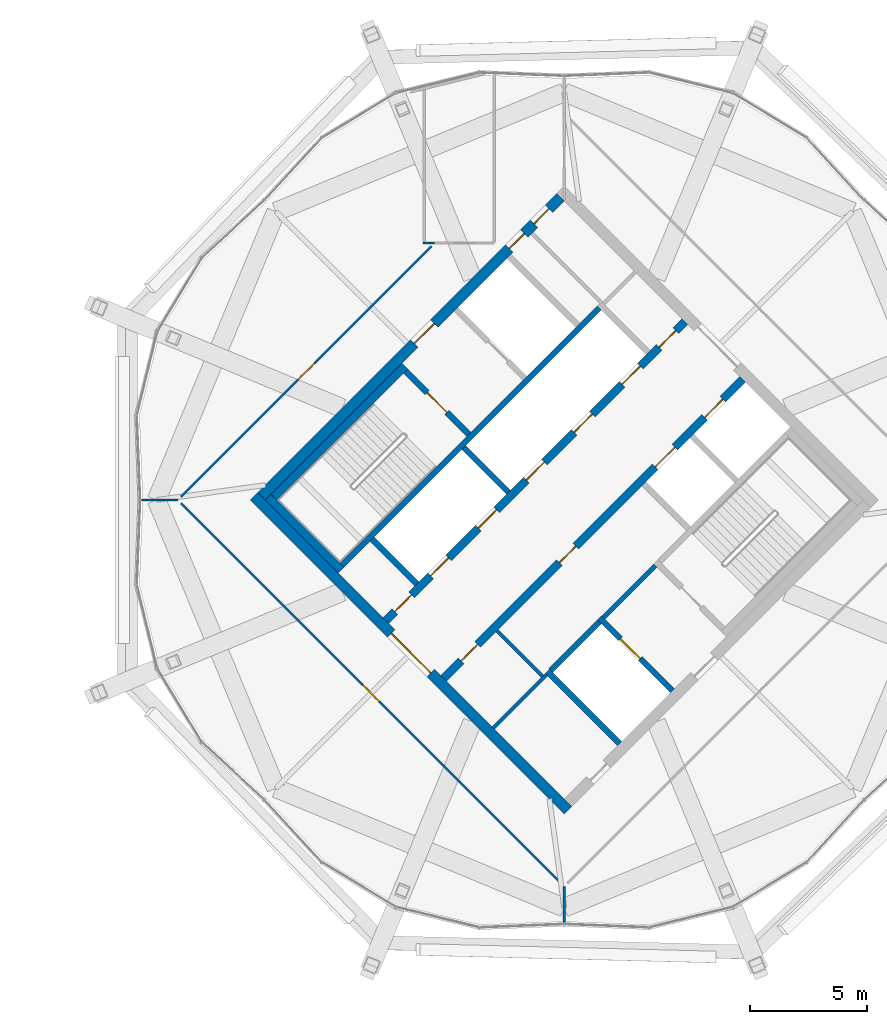
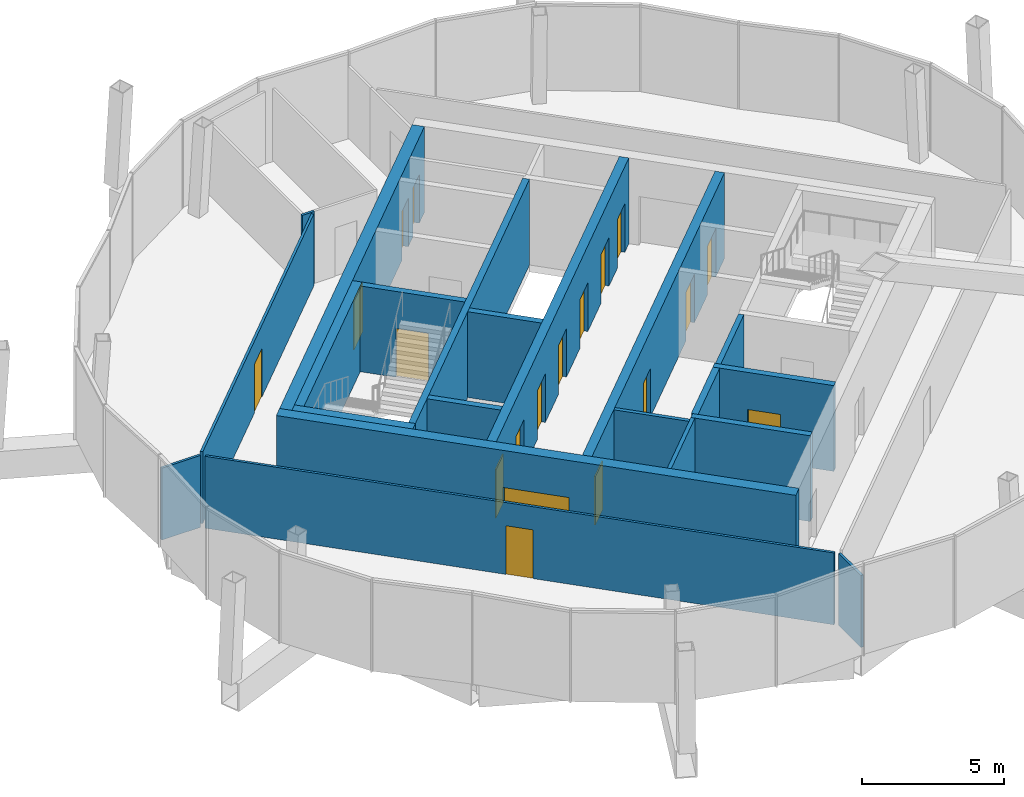
# One storey, part 30 of 34: 21 walls, 19 doors, 19 openings.
"""IFC4 building model written with IfcOpenShell, lengths in metres."""

from ifc_helpers import new_model, si_unit, direction, frame, frame_2d, origin, place, context, subcontext, project, spatial, rectangle, extrude, material, layer, layer_set, type_object, element, fill, save


model = new_model("IFC4")

# Units and contexts
model_context = context("Model", 3, precision=1e-05, world=origin(), true_north=direction((0.0, 1.0)))
body_context = subcontext(model_context, "Body", "Model", "MODEL_VIEW")
ifc_project = project(units=[si_unit("LENGTHUNIT", "METRE"), si_unit("AREAUNIT", "SQUARE_METRE"), si_unit("VOLUMEUNIT", "CUBIC_METRE"), si_unit("PLANEANGLEUNIT", "RADIAN"), si_unit("MASSUNIT", "GRAM", prefix="KILO")], contexts=[model_context])

# Site, building, storey
site_placement = place(None, origin())
site = spatial("IfcSite", under=ifc_project, at=site_placement, CompositionType="ELEMENT")
building_placement = place(site_placement, origin())
building = spatial("IfcBuilding", under=site, at=building_placement, Name="Ogive Gate Towers", CompositionType="ELEMENT")
storey_placement = place(building_placement, frame((0.0, 0.0, 294.0)))
storey = spatial("IfcBuildingStorey", under=building, at=storey_placement, Name="L69", CompositionType="ELEMENT", Elevation=294.0)

# Wall
ifc_material_1 = material(Name="Masonry blockwork", Category="masonry")
ifc_layer_1 = layer(ifc_material_1, 0.199951171875)
ifc_layer_set_1 = layer_set([ifc_layer_1], Name="Blockwork wall 200 mm")
wall_type_1 = type_object("IfcWallType", Name="Blockwork wall 200 mm", PredefinedType="PARTITIONING", material=ifc_layer_set_1)
wall_1_placement = place(storey_placement, frame((37.679443359375, -5.0380859375, 0.0), z_axis=(0.0, 0.0, 1.0), x_axis=(0.707106781187, 0.707106781187, 0.0)))
element("IfcWall", 1, at=wall_1_placement, inside=storey, type_object=wall_type_1, Name="T2 L69 Blockwork wall 200 mm", PredefinedType="PARTITIONING", context=body_context, shape_type="SweptSolid", body=[
    extrude(rectangle(XDim=3.14990234375, YDim=0.199951171875, at=frame_2d((1.574951171875, 0.0))), origin(), (0.0, 0.0, 1.0), 3.699951171875),
])

# Wall, openings, doors
ifc_material_2 = material(Name="Concrete C60/75", Category="concrete")
ifc_layer_2 = layer(ifc_material_2, 0.449951171875)
ifc_layer_set_2 = layer_set([ifc_layer_2], Name="Core wall 450 mm")
wall_type_2 = type_object("IfcWallType", Name="Core wall 450 mm", PredefinedType="SHEAR", material=ifc_layer_set_2)
wall_2_placement = place(storey_placement, frame((23.042236328125, 0.1591796875, 0.0), z_axis=(0.0, 0.0, 1.0), x_axis=(0.707106781187, 0.707106781187, 0.0)))
wall_2 = element("IfcWall", 2, at=wall_2_placement, inside=storey, type_object=wall_type_2, Name="T2 L69 Core wall 450 mm", PredefinedType="SHEAR", context=body_context, shape_type="SweptSolid", body=[
    extrude(rectangle(XDim=18.099853515625, YDim=0.449951171875, at=frame_2d((9.0498046875, 0.0))), origin(), (0.0, 0.0, 1.0), 3.699951171875),
])
opening_1_placement = place(wall_2_placement, frame((9.25, 0.0, 0.0)))
opening_1 = element("IfcOpeningElement", 3, at=opening_1_placement, cuts=wall_2, Name="Opening KD-T2-L69-18", PredefinedType="OPENING", context=body_context, shape_type="SweptSolid", body=[
    extrude(rectangle(XDim=1.199951171875, YDim=2.10009765625, at=frame_2d((0.60009765625, 1.050048828125))), frame((0.0, 0.23486328125, 0.0), z_axis=(0.0, -1.0, 0.0), x_axis=(1.0, 0.0, 0.0)), (0.0, 0.0, 1.0), 0.469970703125),
])
opening_2_placement = place(wall_2_placement, frame((15.0, 0.0, 0.0)))
opening_2 = element("IfcOpeningElement", 4, at=opening_2_placement, cuts=wall_2, Name="Opening KD-T2-L69-20", PredefinedType="OPENING", context=body_context, shape_type="SweptSolid", body=[
    extrude(rectangle(XDim=0.89990234375, YDim=2.10009765625, at=frame_2d((0.449951171875, 1.050048828125))), frame((0.0, 0.23486328125, 0.0), z_axis=(0.0, -1.0, 0.0), x_axis=(1.0, 0.0, 0.0)), (0.0, 0.0, 1.0), 0.469970703125),
])
opening_3_placement = place(wall_2_placement, frame((16.5, 0.0, 0.0)))
opening_3 = element("IfcOpeningElement", 5, at=opening_3_placement, cuts=wall_2, Name="Opening KD-T2-L69-21", PredefinedType="OPENING", context=body_context, shape_type="SweptSolid", body=[
    extrude(rectangle(XDim=0.89990234375, YDim=2.10009765625, at=frame_2d((0.449951171875, 1.050048828125))), frame((0.0, 0.23486328125, 0.0), z_axis=(0.0, -1.0, 0.0), x_axis=(1.0, 0.0, 0.0)), (0.0, 0.0, 1.0), 0.469970703125),
])
ifc_material_3 = material(Name="Timber door", Category="wood")
door_type_1 = type_object("IfcDoorType", Name="Core WC door 900 x 2100", OperationType="NOTDEFINED", PredefinedType="DOOR", material=ifc_material_3)
door_1_placement = place(opening_2_placement, origin())
door_1 = element("IfcDoor", 6, at=door_1_placement, inside=storey, type_object=door_type_1, Name="T2 L69 Core door", OperationType="SINGLE_SWING_LEFT", OverallHeight=2.10009765625, OverallWidth=0.89990234375, PredefinedType="DOOR", context=body_context, shape_type="SweptSolid", body=[
    extrude(rectangle(XDim=0.89990234375, YDim=2.10009765625, at=frame_2d((0.449951171875, 1.050048828125))), frame((0.0, 0.02490234375, 0.0), z_axis=(0.0, -1.0, 0.0), x_axis=(1.0, 0.0, 0.0)), (0.0, 0.0, 1.0), 0.050048828125),
])
fill(opening_2, door_1)
door_2_placement = place(opening_3_placement, origin())
door_2 = element("IfcDoor", 7, at=door_2_placement, inside=storey, type_object=door_type_1, Name="T2 L69 Core door", OperationType="SINGLE_SWING_RIGHT", OverallHeight=2.10009765625, OverallWidth=0.89990234375, PredefinedType="DOOR", context=body_context, shape_type="SweptSolid", body=[
    extrude(rectangle(XDim=0.89990234375, YDim=2.10009765625, at=frame_2d((0.449951171875, 1.050048828125))), frame((0.0, 0.02490234375, 0.0), z_axis=(0.0, -1.0, 0.0), x_axis=(1.0, 0.0, 0.0)), (0.0, 0.0, 1.0), 0.050048828125),
])
fill(opening_3, door_2)
ifc_material_4 = material(Name="Steel fire door", Category="steel")
door_type_2 = type_object("IfcDoorType", Name="Core door FD60S 1200 x 2100", OperationType="NOTDEFINED", PredefinedType="DOOR", material=ifc_material_4)
door_3_placement = place(opening_1_placement, origin())
door_3 = element("IfcDoor", 8, at=door_3_placement, inside=storey, type_object=door_type_2, Name="T2 L69 Fire-fighting lobby door", OperationType="SINGLE_SWING_LEFT", OverallHeight=2.10009765625, OverallWidth=1.199951171875, PredefinedType="DOOR", context=body_context, shape_type="SweptSolid", body=[
    extrude(rectangle(XDim=1.199951171875, YDim=2.10009765625, at=frame_2d((0.60009765625, 1.050048828125))), frame((0.0, 0.02490234375, 0.0), z_axis=(0.0, -1.0, 0.0), x_axis=(1.0, 0.0, 0.0)), (0.0, 0.0, 1.0), 0.050048828125),
])
fill(opening_1, door_3)

# Wall, opening, door
wall_3_placement = place(storey_placement, frame((36.1591796875, -13.27587890625, 0.0), z_axis=(0.0, 0.0, 1.0), x_axis=(-0.707106781187, 0.707106781187, 0.0)))
wall_3 = element("IfcWall", 9, at=wall_3_placement, inside=storey, type_object=wall_type_2, Name="T2 L69 Core wall 450 mm", PredefinedType="SHEAR", context=body_context, shape_type="SweptSolid", body=[
    extrude(rectangle(XDim=19.0, YDim=0.449951171875, at=frame_2d((9.5, 0.0))), origin(), (0.0, 0.0, 1.0), 3.699951171875),
])
opening_4_placement = place(wall_3_placement, frame((8.300048828125, 0.0, 0.0)))
opening_4 = element("IfcOpeningElement", 10, at=opening_4_placement, cuts=wall_3, Name="Opening KD-T2-L69-01", PredefinedType="OPENING", context=body_context, shape_type="SweptSolid", body=[
    extrude(rectangle(XDim=2.39990234375, YDim=2.10009765625, at=frame_2d((1.199951171875, 1.050048828125))), frame((0.0, 0.23486328125, 0.0), z_axis=(0.0, -1.0, 0.0), x_axis=(1.0, 0.0, 0.0)), (0.0, 0.0, 1.0), 0.469970703125),
])
door_type_3 = type_object("IfcDoorType", Name="Core double door FD60S 2400 x 2100", OperationType="DOUBLE_DOOR_SINGLE_SWING", PredefinedType="DOOR", material=ifc_material_4)
door_4_placement = place(opening_4_placement, origin())
door_4 = element("IfcDoor", 11, at=door_4_placement, inside=storey, type_object=door_type_3, Name="T2 L69 Core door double", OperationType="DOUBLE_DOOR_SINGLE_SWING", OverallHeight=2.10009765625, OverallWidth=2.39990234375, PredefinedType="DOOR", context=body_context, shape_type="SweptSolid", body=[
    extrude(rectangle(XDim=2.39990234375, YDim=2.10009765625, at=frame_2d((1.199951171875, 1.050048828125))), frame((0.0, 0.02490234375, 0.0), z_axis=(0.0, -1.0, 0.0), x_axis=(1.0, 0.0, 0.0)), (0.0, 0.0, 1.0), 0.050048828125),
])
fill(opening_4, door_4)

# Walls
ifc_material_5 = material(Name="Gypsum board partition")
ifc_layer_3 = layer(ifc_material_5, 0.10009765625)
ifc_layer_set_3 = layer_set([ifc_layer_3], Name="Partition wall 100")
wall_type_3 = type_object("IfcWallType", Name="Partition wall 100", PredefinedType="PARTITIONING", material=ifc_layer_set_3)
wall_4_placement = place(storey_placement, frame((29.949951171875, 11.0, 0.0), z_axis=(0.0, 0.0, 1.0), x_axis=(1.0, 0.0, 0.0)))
element("IfcWall", 12, at=wall_4_placement, inside=storey, type_object=wall_type_3, Name="L69 partition 002", PredefinedType="PARTITIONING", context=body_context, shape_type="SweptSolid", body=[
    extrude(rectangle(XDim=0.503662109375, YDim=0.10009765625, at=frame_2d((0.251953125, 0.0))), origin(), (0.0, 0.0, 1.0), 3.10009765625),
])
wall_5_placement = place(storey_placement, frame((17.875, 0.0, 0.0), z_axis=(0.0, 0.0, 1.0), x_axis=(1.0, 0.0, 0.0)))
element("IfcWall", 13, at=wall_5_placement, inside=storey, type_object=wall_type_3, Name="L69 partition 010", PredefinedType="PARTITIONING", context=body_context, shape_type="SweptSolid", body=[
    extrude(rectangle(XDim=1.57861328125, YDim=0.10009765625, at=frame_2d((0.789306640625, 0.0))), origin(), (0.0, 0.0, 1.0), 3.10009765625),
])

# Wall, opening, door
wall_6_placement = place(storey_placement, frame((30.312255859375, 10.858642578125, 0.0), z_axis=(0.0, 0.0, 1.0), x_axis=(-0.707098727074, -0.707114835207, 0.0)))
wall_6 = element("IfcWall", 14, at=wall_6_placement, inside=storey, type_object=wall_type_3, Name="L69 partition 011", PredefinedType="PARTITIONING", context=body_context, shape_type="SweptSolid", body=[
    extrude(rectangle(XDim=15.15625, YDim=0.10009765625, at=frame_2d((7.578125, 0.0))), origin(), (0.0, 0.0, 1.0), 3.10009765625),
])
opening_5_placement = place(wall_6_placement, frame((7.078125, 0.0, 0.0)))
opening_5 = element("IfcOpeningElement", 15, at=opening_5_placement, cuts=wall_6, Name="Opening PO321", PredefinedType="OPENING", context=body_context, shape_type="SweptSolid", body=[
    extrude(rectangle(XDim=1.0, YDim=2.10009765625, at=frame_2d((0.5, 1.050048828125))), frame((0.0, 0.06005859375, 0.0), z_axis=(0.0, -1.0, 0.0), x_axis=(1.0, 0.0, 0.0)), (0.0, 0.0, 1.0), 0.1201171875),
])
door_type_4 = type_object("IfcDoorType", Name="Door 1000 x 2100", OperationType="NOTDEFINED", PredefinedType="DOOR", material=ifc_material_3)
door_5_placement = place(opening_5_placement, origin())
door_5 = element("IfcDoor", 16, at=door_5_placement, inside=storey, type_object=door_type_4, Name="Door PO321", OperationType="SINGLE_SWING_LEFT", OverallHeight=2.10009765625, OverallWidth=1.0, PredefinedType="DOOR", context=body_context, shape_type="SweptSolid", body=[
    extrude(rectangle(XDim=1.0, YDim=2.10009765625, at=frame_2d((0.5, 1.050048828125))), frame((0.0, 0.02490234375, 0.0), z_axis=(0.0, -1.0, 0.0), x_axis=(1.0, 0.0, 0.0)), (0.0, 0.0, 1.0), 0.050048828125),
])
fill(opening_5, door_5)

# Wall
wall_7_placement = place(storey_placement, frame((36.0, -18.125, 0.0), z_axis=(0.0, 0.0, 1.0), x_axis=(0.0, 1.0, 0.0)))
element("IfcWall", 17, at=wall_7_placement, inside=storey, type_object=wall_type_3, Name="L69 partition 012", PredefinedType="PARTITIONING", context=body_context, shape_type="SweptSolid", body=[
    extrude(rectangle(XDim=1.57861328125, YDim=0.10009765625, at=frame_2d((0.789306640625, 0.0))), origin(), (0.0, 0.0, 1.0), 3.10009765625),
])

# Wall, opening, door
wall_8_placement = place(storey_placement, frame((19.59521484375, -0.141357421875, 0.0), z_axis=(0.0, 0.0, 1.0), x_axis=(0.707106781187, -0.707106781187, 0.0)))
wall_8 = element("IfcWall", 18, at=wall_8_placement, inside=storey, type_object=wall_type_3, Name="L69 partition 013", PredefinedType="PARTITIONING", context=body_context, shape_type="SweptSolid", body=[
    extrude(rectangle(XDim=23.0, YDim=0.10009765625, at=frame_2d((11.5, 0.0))), origin(), (0.0, 0.0, 1.0), 3.10009765625),
])
opening_6_placement = place(wall_8_placement, frame((11.0, 0.0, 0.0)))
opening_6 = element("IfcOpeningElement", 19, at=opening_6_placement, cuts=wall_8, Name="Opening PO322", PredefinedType="OPENING", context=body_context, shape_type="SweptSolid", body=[
    extrude(rectangle(XDim=1.0, YDim=2.10009765625, at=frame_2d((0.5, 1.050048828125))), frame((0.0, 0.06005859375, 0.0), z_axis=(0.0, -1.0, 0.0), x_axis=(1.0, 0.0, 0.0)), (0.0, 0.0, 1.0), 0.1201171875),
])
door_6_placement = place(opening_6_placement, origin())
door_6 = element("IfcDoor", 20, at=door_6_placement, inside=storey, type_object=door_type_4, Name="Door PO322", OperationType="SINGLE_SWING_RIGHT", OverallHeight=2.10009765625, OverallWidth=1.0, PredefinedType="DOOR", context=body_context, shape_type="SweptSolid", body=[
    extrude(rectangle(XDim=1.0, YDim=2.10009765625, at=frame_2d((0.5, 1.050048828125))), frame((0.0, 0.02490234375, 0.0), z_axis=(0.0, -1.0, 0.0), x_axis=(1.0, 0.0, 0.0)), (0.0, 0.0, 1.0), 0.050048828125),
])
fill(opening_6, door_6)

# Walls
ifc_layer_4 = layer(ifc_material_5, 0.14990234375)
ifc_layer_set_4 = layer_set([ifc_layer_4], Name="Room partition 150 mm")
wall_type_4 = type_object("IfcWallType", Name="Room partition 150 mm", PredefinedType="PARTITIONING", material=ifc_layer_set_4)
wall_9_placement = place(storey_placement, frame((32.95947265625, -9.758056640625, 0.0), z_axis=(0.0, 0.0, 1.0), x_axis=(0.707144631829, 0.707068928518, 0.0)))
element("IfcWall", 21, at=wall_9_placement, inside=storey, type_object=wall_type_4, Name="T2 L69 Room partition 150 mm", PredefinedType="PARTITIONING", context=body_context, shape_type="SweptSolid", body=[
    extrude(rectangle(XDim=3.224853515625, YDim=0.14990234375, at=frame_2d((1.6123046875, 0.0))), origin(), (0.0, 0.0, 1.0), 3.699951171875),
])
wall_10_placement = place(storey_placement, frame((35.06298828125, -7.54833984375, 0.0), z_axis=(0.0, 0.0, 1.0), x_axis=(-0.707106781187, 0.707106781187, 0.0)))
element("IfcWall", 22, at=wall_10_placement, inside=storey, type_object=wall_type_4, Name="T2 L69 Room partition 150 mm", PredefinedType="PARTITIONING", context=body_context, shape_type="SweptSolid", body=[
    extrude(rectangle(XDim=2.75, YDim=0.14990234375, at=frame_2d((1.375, 0.0))), origin(), (0.0, 0.0, 1.0), 3.699951171875),
])
ifc_layer_5 = layer(ifc_material_2, 0.25)
ifc_layer_set_5 = layer_set([ifc_layer_5], Name="Shaft wall 250 mm")
wall_type_5 = type_object("IfcWallType", Name="Shaft wall 250 mm", PredefinedType="SHEAR", material=ifc_layer_set_5)
wall_11_placement = place(storey_placement, frame((35.41650390625, -7.30078125, 0.0), z_axis=(0.0, 0.0, 1.0), x_axis=(0.707148157867, 0.707065402085, 0.0)))
element("IfcWall", 23, at=wall_11_placement, inside=storey, type_object=wall_type_5, Name="T2 L69 Shaft wall 250 mm", PredefinedType="SHEAR", context=body_context, shape_type="SweptSolid", body=[
    extrude(rectangle(XDim=2.9501953125, YDim=0.25, at=frame_2d((1.47509765625, 0.0))), origin(), (0.0, 0.0, 1.0), 3.699951171875),
])
wall_12_placement = place(storey_placement, frame((26.489501953125, -2.793212890625, 0.0), z_axis=(0.0, 0.0, 1.0), x_axis=(0.707098943647, 0.70711461864, 0.0)))
element("IfcWall", 24, at=wall_12_placement, inside=storey, type_object=wall_type_5, Name="T2 L69 Shaft wall 250 mm", PredefinedType="SHEAR", context=body_context, shape_type="SweptSolid", body=[
    extrude(rectangle(XDim=15.5751953125, YDim=0.25, at=frame_2d((7.78759765625, 0.0))), origin(), (0.0, 0.0, 1.0), 3.699951171875),
])
wall_13_placement = place(storey_placement, frame((29.689208984375, -3.588623046875, 0.0), z_axis=(0.0, 0.0, 1.0), x_axis=(-0.707151988282, 0.707061571201, 0.0)))
element("IfcWall", 25, at=wall_13_placement, inside=storey, type_object=wall_type_5, Name="T2 L69 Shaft wall 250 mm", PredefinedType="SHEAR", context=body_context, shape_type="SweptSolid", body=[
    extrude(rectangle(XDim=2.7001953125, YDim=0.25, at=frame_2d((1.35009765625, 0.0))), origin(), (0.0, 0.0, 1.0), 3.699951171875),
])
wall_14_placement = place(storey_placement, frame((38.368896484375, -10.4296875, 0.0), z_axis=(0.0, 0.0, 1.0), x_axis=(-0.707134682099, 0.707078879173, 0.0)))
element("IfcWall", 26, at=wall_14_placement, inside=storey, type_object=wall_type_5, Name="T2 L69 Shaft wall 250 mm", PredefinedType="SHEAR", context=body_context, shape_type="SweptSolid", body=[
    extrude(rectangle(XDim=4.375, YDim=0.25, at=frame_2d((2.1875, 0.0))), origin(), (0.0, 0.0, 1.0), 3.699951171875),
])

# Wall, opening, door
wall_15_placement = place(storey_placement, frame((40.631591796875, -8.1669921875, 0.0), z_axis=(0.0, 0.0, 1.0), x_axis=(-0.707106781187, 0.707106781187, 0.0)))
wall_15 = element("IfcWall", 27, at=wall_15_placement, inside=storey, type_object=wall_type_5, Name="T2 L69 Shaft wall 250 mm", PredefinedType="SHEAR", context=body_context, shape_type="SweptSolid", body=[
    extrude(rectangle(XDim=4.425048828125, YDim=0.25, at=frame_2d((2.21240234375, 0.0))), origin(), (0.0, 0.0, 1.0), 3.699951171875),
])
opening_7_placement = place(wall_15_placement, frame((1.949951171875, 0.0, 0.0)))
opening_7 = element("IfcOpeningElement", 28, at=opening_7_placement, cuts=wall_15, Name="Opening LD-T2-L69-13", PredefinedType="OPENING", context=body_context, shape_type="SweptSolid", body=[
    extrude(rectangle(XDim=1.199951171875, YDim=2.10009765625, at=frame_2d((0.60009765625, 1.050048828125))), frame((0.0, 0.135009765625, 0.0), z_axis=(0.0, -1.0, 0.0), x_axis=(1.0, 0.0, 0.0)), (0.0, 0.0, 1.0), 0.27001953125),
])
ifc_material_6 = material(Name="Stainless steel landing door", Category="steel")
door_type_5 = type_object("IfcDoorType", Name="Landing door 1200 x 2100", OperationType="SLIDING_TO_LEFT", PredefinedType="DOOR", material=ifc_material_6)
door_7_placement = place(opening_7_placement, origin())
door_7 = element("IfcDoor", 29, at=door_7_placement, inside=storey, type_object=door_type_5, Name="T2 L69 Lift landing door FF2", OperationType="SLIDING_TO_LEFT", OverallHeight=2.10009765625, OverallWidth=1.199951171875, PredefinedType="DOOR", context=body_context, shape_type="SweptSolid", body=[
    extrude(rectangle(XDim=1.199951171875, YDim=2.10009765625, at=frame_2d((0.60009765625, 1.050048828125))), frame((0.0, 0.02490234375, 0.0), z_axis=(0.0, -1.0, 0.0), x_axis=(1.0, 0.0, 0.0)), (0.0, 0.0, 1.0), 0.050048828125),
])
fill(opening_7, door_7)

# Wall
wall_16_placement = place(storey_placement, frame((33.613525390625, 0.3359375, 0.0), z_axis=(0.0, 0.0, 1.0), x_axis=(-0.707106781187, 0.707106781187, 0.0)))
element("IfcWall", 30, at=wall_16_placement, inside=storey, type_object=wall_type_5, Name="T2 L69 Shaft wall 250 mm", PredefinedType="SHEAR", context=body_context, shape_type="SweptSolid", body=[
    extrude(rectangle(XDim=2.699951171875, YDim=0.25, at=frame_2d((1.35009765625, 0.0))), origin(), (0.0, 0.0, 1.0), 3.699951171875),
])

# Wall, opening, door
wall_17_placement = place(storey_placement, frame((31.91650390625, 2.810791015625, 0.0), z_axis=(0.0, 0.0, 1.0), x_axis=(-0.707106781187, 0.707106781187, 0.0)))
wall_17 = element("IfcWall", 31, at=wall_17_placement, inside=storey, type_object=wall_type_5, Name="T2 L69 Shaft wall 250 mm", PredefinedType="SHEAR", context=body_context, shape_type="SweptSolid", body=[
    extrude(rectangle(XDim=3.824951171875, YDim=0.25, at=frame_2d((1.91259765625, 0.0))), origin(), (0.0, 0.0, 1.0), 3.699951171875),
])
opening_8_placement = place(wall_17_placement, frame((1.324951171875, 0.0, 0.0)))
opening_8 = element("IfcOpeningElement", 32, at=opening_8_placement, cuts=wall_17, Name="Opening KD-T2-L69-16", PredefinedType="OPENING", context=body_context, shape_type="SweptSolid", body=[
    extrude(rectangle(XDim=1.199951171875, YDim=2.10009765625, at=frame_2d((0.60009765625, 1.050048828125))), frame((0.0, 0.135009765625, 0.0), z_axis=(0.0, -1.0, 0.0), x_axis=(1.0, 0.0, 0.0)), (0.0, 0.0, 1.0), 0.27001953125),
])
door_8_placement = place(opening_8_placement, origin())
door_8 = element("IfcDoor", 33, at=door_8_placement, inside=storey, type_object=door_type_2, Name="T2 L69 Stair door", OperationType="SINGLE_SWING_LEFT", OverallHeight=2.10009765625, OverallWidth=1.199951171875, PredefinedType="DOOR", context=body_context, shape_type="SweptSolid", body=[
    extrude(rectangle(XDim=1.199951171875, YDim=2.10009765625, at=frame_2d((0.60009765625, 1.050048828125))), frame((0.0, 0.02490234375, 0.0), z_axis=(0.0, -1.0, 0.0), x_axis=(1.0, 0.0, 0.0)), (0.0, 0.0, 1.0), 0.050048828125),
])
fill(opening_8, door_8)

# Wall, openings, doors
ifc_layer_6 = layer(ifc_material_2, 0.35009765625)
ifc_layer_set_6 = layer_set([ifc_layer_6], Name="Spine wall 350 mm")
wall_type_6 = type_object("IfcWallType", Name="Spine wall 350 mm", PredefinedType="SHEAR", material=ifc_layer_set_6)
wall_18_placement = place(storey_placement, frame((30.838134765625, -7.63671875, 0.0), z_axis=(0.0, 0.0, 1.0), x_axis=(0.707106781187, 0.707106781187, 0.0)))
wall_18 = element("IfcWall", 34, at=wall_18_placement, inside=storey, type_object=wall_type_6, Name="T2 L69 Spine wall 350 mm", PredefinedType="SHEAR", context=body_context, shape_type="SweptSolid", body=[
    extrude(rectangle(XDim=18.099853515625, YDim=0.35009765625, at=frame_2d((9.0498046875, 0.0))), origin(), (0.0, 0.0, 1.0), 3.699951171875),
])
opening_9_placement = place(wall_18_placement, frame((12.800048828125, 0.0, 0.0)))
opening_9 = element("IfcOpeningElement", 35, at=opening_9_placement, cuts=wall_18, Name="Opening LD-T2-L69-10", PredefinedType="OPENING", context=body_context, shape_type="SweptSolid", body=[
    extrude(rectangle(XDim=1.199951171875, YDim=2.10009765625, at=frame_2d((0.60009765625, 1.050048828125))), frame((0.0, 0.18505859375, 0.0), z_axis=(0.0, -1.0, 0.0), x_axis=(1.0, 0.0, 0.0)), (0.0, 0.0, 1.0), 0.3701171875),
])
opening_10_placement = place(wall_18_placement, frame((15.800048828125, 0.0, 0.0)))
opening_10 = element("IfcOpeningElement", 36, at=opening_10_placement, cuts=wall_18, Name="Opening LD-T2-L69-11", PredefinedType="OPENING", context=body_context, shape_type="SweptSolid", body=[
    extrude(rectangle(XDim=1.10009765625, YDim=2.10009765625, at=frame_2d((0.550048828125, 1.050048828125))), frame((0.0, 0.18505859375, 0.0), z_axis=(0.0, -1.0, 0.0), x_axis=(1.0, 0.0, 0.0)), (0.0, 0.0, 1.0), 0.3701171875),
])
opening_11_placement = place(wall_18_placement, frame((1.050048828125, 0.0, 0.0)))
opening_11 = element("IfcOpeningElement", 37, at=opening_11_placement, cuts=wall_18, Name="Opening KD-T2-L69-14", PredefinedType="OPENING", context=body_context, shape_type="SweptSolid", body=[
    extrude(rectangle(XDim=1.0, YDim=2.10009765625, at=frame_2d((0.5, 1.050048828125))), frame((0.0, 0.18505859375, 0.0), z_axis=(0.0, -1.0, 0.0), x_axis=(1.0, 0.0, 0.0)), (0.0, 0.0, 1.0), 0.3701171875),
])
opening_12_placement = place(wall_18_placement, frame((7.0, 0.0, 0.0)))
opening_12 = element("IfcOpeningElement", 38, at=opening_12_placement, cuts=wall_18, Name="Opening KD-T2-L69-15", PredefinedType="OPENING", context=body_context, shape_type="SweptSolid", body=[
    extrude(rectangle(XDim=1.0, YDim=2.10009765625, at=frame_2d((0.5, 1.050048828125))), frame((0.0, 0.18505859375, 0.0), z_axis=(0.0, -1.0, 0.0), x_axis=(1.0, 0.0, 0.0)), (0.0, 0.0, 1.0), 0.3701171875),
])
door_type_6 = type_object("IfcDoorType", Name="Core door FD60S 1000 x 2100", OperationType="NOTDEFINED", PredefinedType="DOOR", material=ifc_material_4)
door_9_placement = place(opening_11_placement, origin())
door_9 = element("IfcDoor", 39, at=door_9_placement, inside=storey, type_object=door_type_6, Name="T2 L69 Core door", OperationType="SINGLE_SWING_LEFT", OverallHeight=2.10009765625, OverallWidth=1.0, PredefinedType="DOOR", context=body_context, shape_type="SweptSolid", body=[
    extrude(rectangle(XDim=1.0, YDim=2.10009765625, at=frame_2d((0.5, 1.050048828125))), frame((0.0, 0.02490234375, 0.0), z_axis=(0.0, -1.0, 0.0), x_axis=(1.0, 0.0, 0.0)), (0.0, 0.0, 1.0), 0.050048828125),
])
fill(opening_11, door_9)
door_10_placement = place(opening_12_placement, origin())
door_10 = element("IfcDoor", 40, at=door_10_placement, inside=storey, type_object=door_type_6, Name="T2 L69 Core door", OperationType="SINGLE_SWING_RIGHT", OverallHeight=2.10009765625, OverallWidth=1.0, PredefinedType="DOOR", context=body_context, shape_type="SweptSolid", body=[
    extrude(rectangle(XDim=1.0, YDim=2.10009765625, at=frame_2d((0.5, 1.050048828125))), frame((0.0, 0.02490234375, 0.0), z_axis=(0.0, -1.0, 0.0), x_axis=(1.0, 0.0, 0.0)), (0.0, 0.0, 1.0), 0.050048828125),
])
fill(opening_12, door_10)
door_type_7 = type_object("IfcDoorType", Name="Landing door 1100 x 2100", OperationType="SLIDING_TO_LEFT", PredefinedType="DOOR", material=ifc_material_6)
door_11_placement = place(opening_10_placement, origin())
door_11 = element("IfcDoor", 41, at=door_11_placement, inside=storey, type_object=door_type_7, Name="T2 L69 Lift landing door B6", OperationType="SLIDING_TO_LEFT", OverallHeight=2.10009765625, OverallWidth=1.10009765625, PredefinedType="DOOR", context=body_context, shape_type="SweptSolid", body=[
    extrude(rectangle(XDim=1.10009765625, YDim=2.10009765625, at=frame_2d((0.550048828125, 1.050048828125))), frame((0.0, 0.02490234375, 0.0), z_axis=(0.0, -1.0, 0.0), x_axis=(1.0, 0.0, 0.0)), (0.0, 0.0, 1.0), 0.050048828125),
])
fill(opening_10, door_11)
door_12_placement = place(opening_9_placement, origin())
door_12 = element("IfcDoor", 42, at=door_12_placement, inside=storey, type_object=door_type_5, Name="T2 L69 Lift landing door SVC", OperationType="SLIDING_TO_LEFT", OverallHeight=2.10009765625, OverallWidth=1.199951171875, PredefinedType="DOOR", context=body_context, shape_type="SweptSolid", body=[
    extrude(rectangle(XDim=1.199951171875, YDim=2.10009765625, at=frame_2d((0.60009765625, 1.050048828125))), frame((0.0, 0.02490234375, 0.0), z_axis=(0.0, -1.0, 0.0), x_axis=(1.0, 0.0, 0.0)), (0.0, 0.0, 1.0), 0.050048828125),
])
fill(opening_9, door_12)

wall_19_placement = place(storey_placement, frame((28.36328125, -5.161865234375, 0.0), z_axis=(0.0, 0.0, 1.0), x_axis=(0.707106781187, 0.707106781187, 0.0)))
wall_19 = element("IfcWall", 43, at=wall_19_placement, inside=storey, type_object=wall_type_6, Name="T2 L69 Spine wall 350 mm", PredefinedType="SHEAR", context=body_context, shape_type="SweptSolid", body=[
    extrude(rectangle(XDim=18.099853515625, YDim=0.35009765625, at=frame_2d((9.0498046875, 0.0))), origin(), (0.0, 0.0, 1.0), 3.699951171875),
])
opening_13_placement = place(wall_19_placement, frame((0.550048828125, 0.0, 0.0)))
opening_13 = element("IfcOpeningElement", 44, at=opening_13_placement, cuts=wall_19, Name="Opening KD-T2-L69-03", PredefinedType="OPENING", context=body_context, shape_type="SweptSolid", body=[
    extrude(rectangle(XDim=1.0, YDim=2.10009765625, at=frame_2d((0.5, 1.050048828125))), frame((0.0, 0.18505859375, 0.0), z_axis=(0.0, -1.0, 0.0), x_axis=(1.0, 0.0, 0.0)), (0.0, 0.0, 1.0), 0.3701171875),
])
opening_14_placement = place(wall_19_placement, frame((2.699951171875, 0.0, 0.0)))
opening_14 = element("IfcOpeningElement", 45, at=opening_14_placement, cuts=wall_19, Name="Opening LD-T2-L69-04", PredefinedType="OPENING", context=body_context, shape_type="SweptSolid", body=[
    extrude(rectangle(XDim=1.10009765625, YDim=2.10009765625, at=frame_2d((0.550048828125, 1.050048828125))), frame((0.0, 0.18505859375, 0.0), z_axis=(0.0, -1.0, 0.0), x_axis=(1.0, 0.0, 0.0)), (0.0, 0.0, 1.0), 0.3701171875),
])
opening_15_placement = place(wall_19_placement, frame((5.60009765625, 0.0, 0.0)))
opening_15 = element("IfcOpeningElement", 46, at=opening_15_placement, cuts=wall_19, Name="Opening LD-T2-L69-05", PredefinedType="OPENING", context=body_context, shape_type="SweptSolid", body=[
    extrude(rectangle(XDim=1.10009765625, YDim=2.10009765625, at=frame_2d((0.550048828125, 1.050048828125))), frame((0.0, 0.18505859375, 0.0), z_axis=(0.0, -1.0, 0.0), x_axis=(1.0, 0.0, 0.0)), (0.0, 0.0, 1.0), 0.3701171875),
])
opening_16_placement = place(wall_19_placement, frame((8.5, 0.0, 0.0)))
opening_16 = element("IfcOpeningElement", 47, at=opening_16_placement, cuts=wall_19, Name="Opening LD-T2-L69-06", PredefinedType="OPENING", context=body_context, shape_type="SweptSolid", body=[
    extrude(rectangle(XDim=1.10009765625, YDim=2.10009765625, at=frame_2d((0.550048828125, 1.050048828125))), frame((0.0, 0.18505859375, 0.0), z_axis=(0.0, -1.0, 0.0), x_axis=(1.0, 0.0, 0.0)), (0.0, 0.0, 1.0), 0.3701171875),
])
opening_17_placement = place(wall_19_placement, frame((11.39990234375, 0.0, 0.0)))
opening_17 = element("IfcOpeningElement", 48, at=opening_17_placement, cuts=wall_19, Name="Opening LD-T2-L69-07", PredefinedType="OPENING", context=body_context, shape_type="SweptSolid", body=[
    extrude(rectangle(XDim=1.10009765625, YDim=2.10009765625, at=frame_2d((0.550048828125, 1.050048828125))), frame((0.0, 0.18505859375, 0.0), z_axis=(0.0, -1.0, 0.0), x_axis=(1.0, 0.0, 0.0)), (0.0, 0.0, 1.0), 0.3701171875),
])
opening_18_placement = place(wall_19_placement, frame((14.300048828125, 0.0, 0.0)))
opening_18 = element("IfcOpeningElement", 49, at=opening_18_placement, cuts=wall_19, Name="Opening LD-T2-L69-08", PredefinedType="OPENING", context=body_context, shape_type="SweptSolid", body=[
    extrude(rectangle(XDim=1.10009765625, YDim=2.10009765625, at=frame_2d((0.550048828125, 1.050048828125))), frame((0.0, 0.18505859375, 0.0), z_axis=(0.0, -1.0, 0.0), x_axis=(1.0, 0.0, 0.0)), (0.0, 0.0, 1.0), 0.3701171875),
])
opening_19_placement = place(wall_19_placement, frame((16.550048828125, 0.0, 0.0)))
opening_19 = element("IfcOpeningElement", 50, at=opening_19_placement, cuts=wall_19, Name="Opening KD-T2-L69-09", PredefinedType="OPENING", context=body_context, shape_type="SweptSolid", body=[
    extrude(rectangle(XDim=1.0, YDim=2.10009765625, at=frame_2d((0.5, 1.050048828125))), frame((0.0, 0.18505859375, 0.0), z_axis=(0.0, -1.0, 0.0), x_axis=(1.0, 0.0, 0.0)), (0.0, 0.0, 1.0), 0.3701171875),
])
door_13_placement = place(opening_13_placement, origin())
door_13 = element("IfcDoor", 51, at=door_13_placement, inside=storey, type_object=door_type_6, Name="T2 L69 Core door", OperationType="SINGLE_SWING_RIGHT", OverallHeight=2.10009765625, OverallWidth=1.0, PredefinedType="DOOR", context=body_context, shape_type="SweptSolid", body=[
    extrude(rectangle(XDim=1.0, YDim=2.10009765625, at=frame_2d((0.5, 1.050048828125))), frame((0.0, 0.02490234375, 0.0), z_axis=(0.0, -1.0, 0.0), x_axis=(1.0, 0.0, 0.0)), (0.0, 0.0, 1.0), 0.050048828125),
])
fill(opening_13, door_13)
door_14_placement = place(opening_19_placement, origin())
door_14 = element("IfcDoor", 52, at=door_14_placement, inside=storey, type_object=door_type_6, Name="T2 L69 Core door", OperationType="SINGLE_SWING_RIGHT", OverallHeight=2.10009765625, OverallWidth=1.0, PredefinedType="DOOR", context=body_context, shape_type="SweptSolid", body=[
    extrude(rectangle(XDim=1.0, YDim=2.10009765625, at=frame_2d((0.5, 1.050048828125))), frame((0.0, 0.02490234375, 0.0), z_axis=(0.0, -1.0, 0.0), x_axis=(1.0, 0.0, 0.0)), (0.0, 0.0, 1.0), 0.050048828125),
])
fill(opening_19, door_14)
door_15_placement = place(opening_14_placement, origin())
door_15 = element("IfcDoor", 53, at=door_15_placement, inside=storey, type_object=door_type_7, Name="T2 L69 Lift landing door B1", OperationType="SLIDING_TO_LEFT", OverallHeight=2.10009765625, OverallWidth=1.10009765625, PredefinedType="DOOR", context=body_context, shape_type="SweptSolid", body=[
    extrude(rectangle(XDim=1.10009765625, YDim=2.10009765625, at=frame_2d((0.550048828125, 1.050048828125))), frame((0.0, 0.02490234375, 0.0), z_axis=(0.0, -1.0, 0.0), x_axis=(1.0, 0.0, 0.0)), (0.0, 0.0, 1.0), 0.050048828125),
])
fill(opening_14, door_15)
door_16_placement = place(opening_15_placement, origin())
door_16 = element("IfcDoor", 54, at=door_16_placement, inside=storey, type_object=door_type_7, Name="T2 L69 Lift landing door B2", OperationType="SLIDING_TO_LEFT", OverallHeight=2.10009765625, OverallWidth=1.10009765625, PredefinedType="DOOR", context=body_context, shape_type="SweptSolid", body=[
    extrude(rectangle(XDim=1.10009765625, YDim=2.10009765625, at=frame_2d((0.550048828125, 1.050048828125))), frame((0.0, 0.02490234375, 0.0), z_axis=(0.0, -1.0, 0.0), x_axis=(1.0, 0.0, 0.0)), (0.0, 0.0, 1.0), 0.050048828125),
])
fill(opening_15, door_16)
door_17_placement = place(opening_16_placement, origin())
door_17 = element("IfcDoor", 55, at=door_17_placement, inside=storey, type_object=door_type_7, Name="T2 L69 Lift landing door B3", OperationType="SLIDING_TO_LEFT", OverallHeight=2.10009765625, OverallWidth=1.10009765625, PredefinedType="DOOR", context=body_context, shape_type="SweptSolid", body=[
    extrude(rectangle(XDim=1.10009765625, YDim=2.10009765625, at=frame_2d((0.550048828125, 1.050048828125))), frame((0.0, 0.02490234375, 0.0), z_axis=(0.0, -1.0, 0.0), x_axis=(1.0, 0.0, 0.0)), (0.0, 0.0, 1.0), 0.050048828125),
])
fill(opening_16, door_17)
door_18_placement = place(opening_17_placement, origin())
door_18 = element("IfcDoor", 56, at=door_18_placement, inside=storey, type_object=door_type_7, Name="T2 L69 Lift landing door B4", OperationType="SLIDING_TO_LEFT", OverallHeight=2.10009765625, OverallWidth=1.10009765625, PredefinedType="DOOR", context=body_context, shape_type="SweptSolid", body=[
    extrude(rectangle(XDim=1.10009765625, YDim=2.10009765625, at=frame_2d((0.550048828125, 1.050048828125))), frame((0.0, 0.02490234375, 0.0), z_axis=(0.0, -1.0, 0.0), x_axis=(1.0, 0.0, 0.0)), (0.0, 0.0, 1.0), 0.050048828125),
])
fill(opening_17, door_18)
door_19_placement = place(opening_18_placement, origin())
door_19 = element("IfcDoor", 57, at=door_19_placement, inside=storey, type_object=door_type_7, Name="T2 L69 Lift landing door B5", OperationType="SLIDING_TO_LEFT", OverallHeight=2.10009765625, OverallWidth=1.10009765625, PredefinedType="DOOR", context=body_context, shape_type="SweptSolid", body=[
    extrude(rectangle(XDim=1.10009765625, YDim=2.10009765625, at=frame_2d((0.550048828125, 1.050048828125))), frame((0.0, 0.02490234375, 0.0), z_axis=(0.0, -1.0, 0.0), x_axis=(1.0, 0.0, 0.0)), (0.0, 0.0, 1.0), 0.050048828125),
])
fill(opening_18, door_19)

# Walls
ifc_layer_7 = layer(ifc_material_2, 0.35009765625)
ifc_layer_set_7 = layer_set([ifc_layer_7], Name="Stair wall 350 mm")
wall_type_7 = type_object("IfcWallType", Name="Stair wall 350 mm", PredefinedType="SHEAR", material=ifc_layer_set_7)
wall_20_placement = place(storey_placement, frame((23.572509765625, 0.123779296875, 0.0), z_axis=(0.0, 0.0, 1.0), x_axis=(0.707122184046, 0.707091377991, 0.0)))
element("IfcWall", 58, at=wall_20_placement, inside=storey, type_object=wall_type_7, Name="T2 L69 Stair wall 350 mm", PredefinedType="SHEAR", context=body_context, shape_type="SweptSolid", body=[
    extrude(rectangle(XDim=7.925048828125, YDim=0.35009765625, at=frame_2d((3.96240234375, 0.0))), origin(), (0.0, 0.0, 1.0), 3.699951171875),
])
wall_21_placement = place(storey_placement, frame((26.4541015625, -3.005126953125, 0.0), z_axis=(0.0, 0.0, 1.0), x_axis=(-0.707106781187, 0.707106781187, 0.0)))
element("IfcWall", 59, at=wall_21_placement, inside=storey, type_object=wall_type_7, Name="T2 L69 Stair wall 350 mm", PredefinedType="SHEAR", context=body_context, shape_type="SweptSolid", body=[
    extrude(rectangle(XDim=4.425048828125, YDim=0.35009765625, at=frame_2d((2.21240234375, 0.0))), origin(), (0.0, 0.0, 1.0), 3.699951171875),
])

save(model, "model.ifc")
